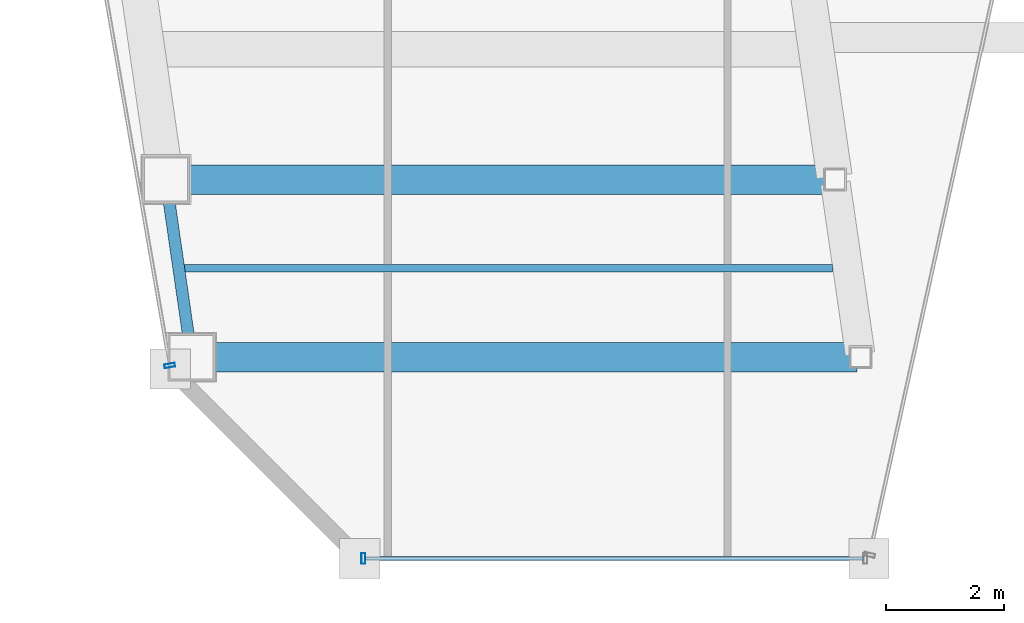
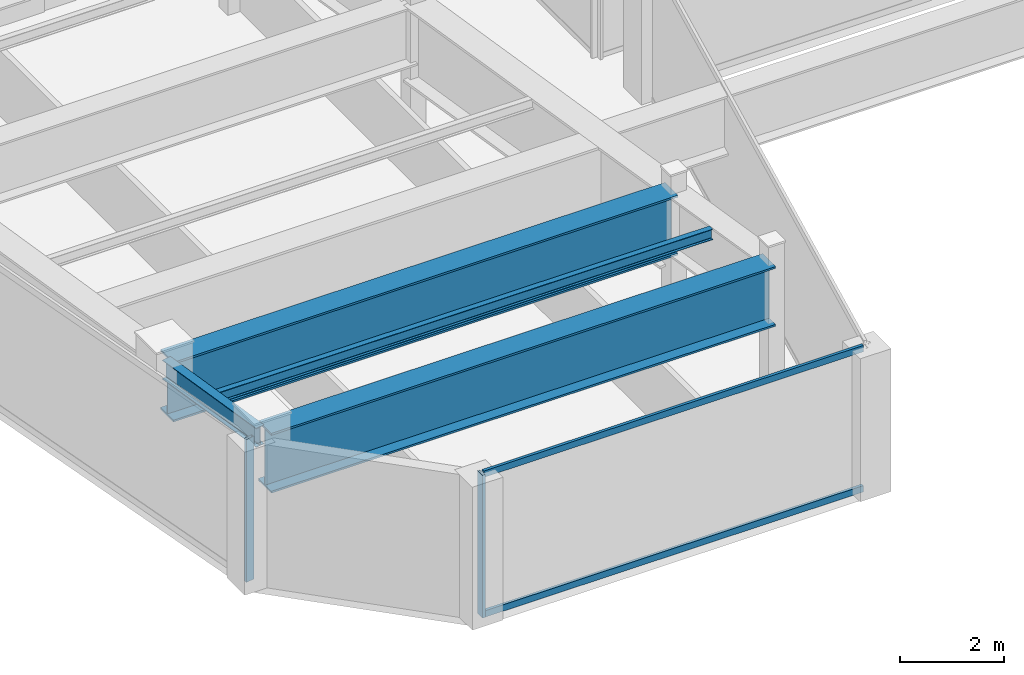
# One storey, part 3 of 35: 4 beams, 4 members, 2 elements without a shape of their own.
"""IFC4 building model written with IfcOpenShell, lengths in metres."""

from ifc_helpers import new_model, si_unit, direction, frame, origin, origin_2d, place, context, subcontext, project, spatial, hollow_rectangle, i_section, extrude, material, material_profile, profile_set, type_object, element, aggregate, save


model = new_model("IFC4")

# Units and contexts
model_context = context("Model", 3, precision=1e-05, world=origin(), true_north=direction((0.0, 1.0)))
body_context = subcontext(model_context, "Body", "Model", "MODEL_VIEW")
ifc_project = project(units=[si_unit("LENGTHUNIT", "METRE"), si_unit("AREAUNIT", "SQUARE_METRE"), si_unit("VOLUMEUNIT", "CUBIC_METRE"), si_unit("PLANEANGLEUNIT", "RADIAN"), si_unit("MASSUNIT", "GRAM", prefix="KILO")], contexts=[model_context])

# Site, building, storey
site_placement = place(None, origin())
site = spatial("IfcSite", under=ifc_project, at=site_placement, CompositionType="ELEMENT")
building_placement = place(site_placement, origin())
building = spatial("IfcBuilding", under=site, at=building_placement, Name="Saevonmaru Cultural Tower", CompositionType="ELEMENT")
storey_placement = place(building_placement, frame((0.0, 0.0, 249.60009765625)))
storey = spatial("IfcBuildingStorey", under=building, at=storey_placement, Name="L58", CompositionType="ELEMENT", Elevation=249.60009765625)

# Beams
ifc_material_1 = material(Name="Steel SM355", Category="steel")
ifc_material_profile_1 = material_profile(ifc_material_1, i_section(OverallWidth=0.125, OverallDepth=0.25, WebThickness=0.006103515625, FlangeThickness=0.009033203125, FilletRadius=0.008056640625, at=origin_2d()), Name="H-250x125x6x9")
ifc_profile_set_1 = profile_set([ifc_material_profile_1], Name="Steel SM355")
beam_type_1 = type_object("IfcBeamType", Name="BM-J-H250", PredefinedType="JOIST", material=ifc_profile_set_1)
beam_1_placement = place(storey_placement, frame((9.7490234375, 22.5, 3.224853515625), z_axis=(1.0, 0.0, 0.0), x_axis=(0.0, 1.0, 0.0)))
element("IfcBeam", 1, at=beam_1_placement, inside=storey, type_object=beam_type_1, Name="L58 West Wing Floor Joist 1", PredefinedType="JOIST", context=body_context, shape_type="SweptSolid", body=[
    extrude(i_section(OverallWidth=0.125, OverallDepth=0.25, WebThickness=0.006103515625, FlangeThickness=0.009033203125, FilletRadius=0.008056640625, at=origin_2d()), origin(), (0.0, 0.0, 1.0), 10.98193359375),
])
ifc_material_profile_2 = material_profile(ifc_material_1, i_section(OverallWidth=0.199951171875, OverallDepth=0.449951171875, WebThickness=0.009033203125, FlangeThickness=0.013916015625, FilletRadius=0.01806640625, at=origin_2d()), Name="H-450x200x9x14")
ifc_profile_set_2 = profile_set([ifc_material_profile_2], Name="Steel SM355")
beam_type_2 = type_object("IfcBeamType", Name="BM-SP-H450", PredefinedType="SPANDREL", material=ifc_profile_set_2)
beam_2_placement = place(storey_placement, frame((9.8974609375, 21.059326171875, 3.125), z_axis=(-0.143146955239, 0.98970144448, 0.0), x_axis=(-0.98970144448, -0.143146955239, 0.0)))
element("IfcBeam", 2, at=beam_2_placement, inside=storey, type_object=beam_type_2, Name="L58 West Splayed Spandrel 1", PredefinedType="SPANDREL", context=body_context, shape_type="SweptSolid", body=[
    extrude(i_section(OverallWidth=0.199951171875, OverallDepth=0.449951171875, WebThickness=0.009033203125, FlangeThickness=0.013916015625, FilletRadius=0.01806640625, at=origin_2d()), origin(), (0.0, 0.0, 1.0), 2.911376953125),
])
ifc_material_2 = material(Name="Steel HSA600 (600 MPa)", Category="steel")
ifc_material_profile_3 = material_profile(ifc_material_2, i_section(OverallWidth=0.5, OverallDepth=1.39990234375, WebThickness=0.02392578125, FlangeThickness=0.044921875, at=origin_2d()), Name="PG-1400x500x24x45")
ifc_profile_set_3 = profile_set([ifc_material_profile_3], Name="Steel HSA600 (600 MPa)")
beam_type_3 = type_object("IfcBeamType", Name="BM-TG-PG1400", PredefinedType="BEAM", material=ifc_profile_set_3)
for number, where, z_axis, x_axis, name in (
    (3, (9.966064453125, 21.0, 2.64990234375), (1.0, 0.0, 0.0), (0.0, 1.0, 0.0), "L58 West Wing Transverse Girder 1"),
    (4, (9.531982421875, 24.0, 2.64990234375), (1.0, 0.0, 0.0), (0.0, 1.0, 0.0), "L58 West Wing Transverse Girder 2"),
):
    element("IfcBeam", number, at=place(storey_placement, frame(where, z_axis=z_axis, x_axis=x_axis)), inside=storey, type_object=beam_type_3, Name=name, PredefinedType="BEAM", context=body_context, shape_type="SweptSolid", body=[
        extrude(i_section(OverallWidth=0.5, OverallDepth=1.39990234375, WebThickness=0.02392578125, FlangeThickness=0.044921875, at=origin_2d()), origin(), (0.0, 0.0, 1.0), 11.179931640625),
    ])

# Curtain wall, member
ifc_material_3 = material(Name="Satin Bronze Anodised Aluminium", Category="aluminium")
curtain_wall_type = type_object("IfcCurtainWallType", Name="CW-TYP-B", PredefinedType="NOTDEFINED", material=ifc_material_3)
curtain_wall_1_placement = place(storey_placement, origin())
curtain_wall_1 = element("IfcCurtainWall", 5, at=curtain_wall_1_placement, inside=storey, type_object=curtain_wall_type, Name="L58 Unitised Curtain Wall E2", PredefinedType="NOTDEFINED")
ifc_material_profile_4 = material_profile(ifc_material_3, hollow_rectangle(XDim=0.06494140625, YDim=0.179931640625, WallThickness=0.00390625, at=origin_2d()), Name="ALU-MULL-180x65x4")
ifc_profile_set_4 = profile_set([ifc_material_profile_4], Name="Satin Bronze Anodised Aluminium")
member_type_1 = type_object("IfcMemberType", Name="ML-CW-180x65", PredefinedType="MULLION", material=ifc_profile_set_4)
member_1_placement = place(storey_placement, frame((12.806640625, 17.60009765625, 0.0), z_axis=(0.0, 0.0, 1.0), x_axis=(1.0, 0.0, 0.0)))
member_1 = element("IfcMember", 6, at=member_1_placement, type_object=member_type_1, Name="CW-TW-L58-E2 mullion 1", PredefinedType="MULLION", context=body_context, shape_type="SweptSolid", body=[
    extrude(hollow_rectangle(XDim=0.06494140625, YDim=0.179931640625, WallThickness=0.00390625, at=origin_2d()), origin(), (0.0, 0.0, 1.0), 3.349853515625),
])

curtain_wall_2_placement = place(storey_placement, origin())
curtain_wall_2 = element("IfcCurtainWall", 7, at=curtain_wall_2_placement, inside=storey, type_object=curtain_wall_type, Name="L58 Unitised Curtain Wall E12", PredefinedType="NOTDEFINED")
member_2_placement = place(storey_placement, frame((9.53662109375, 20.859130859375, 0.0), z_axis=(0.0, 0.0, 1.0), x_axis=(0.170790369887, -0.985307388359, 0.0)))
member_2 = element("IfcMember", 8, at=member_2_placement, type_object=member_type_1, Name="CW-TW-L58-E12 mullion 4", PredefinedType="MULLION", context=body_context, shape_type="SweptSolid", body=[
    extrude(hollow_rectangle(XDim=0.06494140625, YDim=0.179931640625, WallThickness=0.00390625, at=origin_2d()), origin(), (0.0, 0.0, 1.0), 3.349853515625),
])
aggregate(curtain_wall_2, [member_2])

# Member
ifc_material_profile_5 = material_profile(ifc_material_3, hollow_rectangle(XDim=0.06494140625, YDim=0.14990234375, WallThickness=0.00390625, at=origin_2d()), Name="ALU-TRAN-150x65x4")
ifc_profile_set_5 = profile_set([ifc_material_profile_5], Name="Satin Bronze Anodised Aluminium")
member_type_2 = type_object("IfcMemberType", Name="TR-CW-150x65", PredefinedType="USERDEFINED", material=ifc_profile_set_5)
member_3_placement = place(storey_placement, frame((12.839111328125, 17.60009765625, 0.032470703125), z_axis=(1.0, 0.0, 0.0), x_axis=(0.0, 1.0, 0.0)))
member_3 = element("IfcMember", 9, at=member_3_placement, type_object=member_type_2, Name="CW-TW-L58-E2 transom 1.1", ObjectType="TRANSOM", PredefinedType="USERDEFINED", context=body_context, shape_type="SweptSolid", body=[
    extrude(hollow_rectangle(XDim=0.06494140625, YDim=0.14990234375, WallThickness=0.00390625, at=origin_2d()), origin(), (0.0, 0.0, 1.0), 8.4150390625),
])

member_4_placement = place(storey_placement, frame((12.839111328125, 17.60009765625, 3.3173828125), z_axis=(1.0, 0.0, 0.0), x_axis=(0.0, 1.0, 0.0)))
member_4 = element("IfcMember", 10, at=member_4_placement, type_object=member_type_2, Name="CW-TW-L58-E2 transom 1.2", ObjectType="TRANSOM", PredefinedType="USERDEFINED", context=body_context, shape_type="SweptSolid", body=[
    extrude(hollow_rectangle(XDim=0.06494140625, YDim=0.14990234375, WallThickness=0.00390625, at=origin_2d()), origin(), (0.0, 0.0, 1.0), 8.4150390625),
])

aggregate(curtain_wall_1, [member_1, member_3, member_4])

save(model, "model.ifc")
